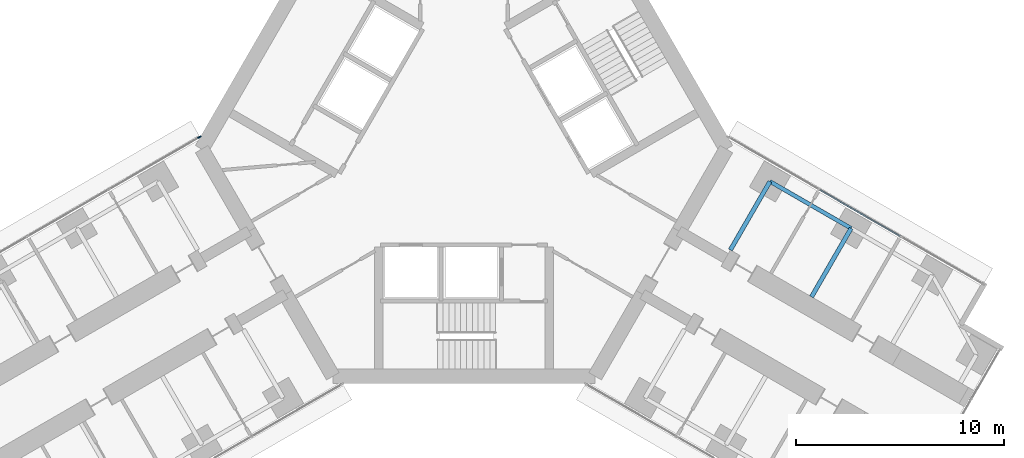
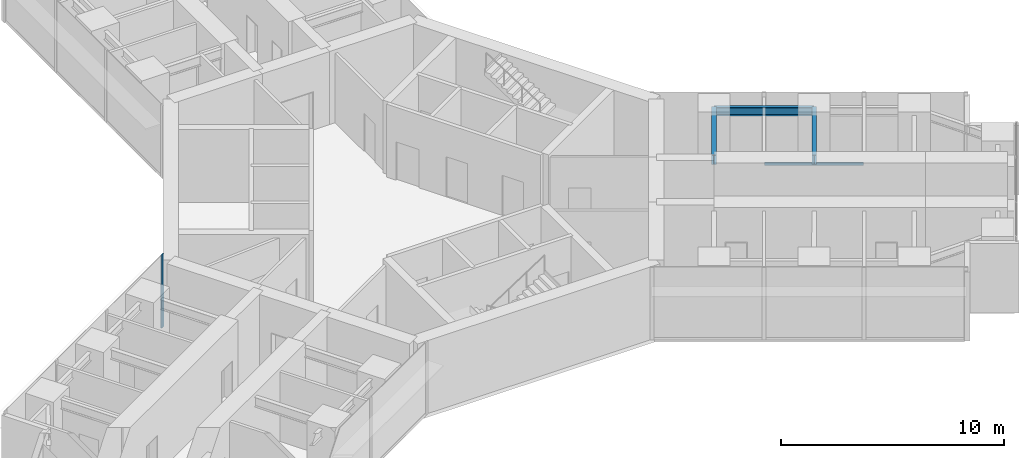
# One storey, part 10 of 24: 3 beams, 2 members, 2 elements without a shape of their own.
"""IFC4 building model written with IfcOpenShell, lengths in metres."""

from ifc_helpers import new_model, si_unit, direction, frame, origin, origin_2d, place, context, subcontext, project, spatial, rectangle, i_section, extrude, material, material_profile, profile_set, type_object, element, aggregate, save


model = new_model("IFC4")

# Units and contexts
model_context = context("Model", 3, precision=1e-05, world=origin(), true_north=direction((0.0, 1.0)))
body_context = subcontext(model_context, "Body", "Model", "MODEL_VIEW")
ifc_project = project(units=[si_unit("LENGTHUNIT", "METRE"), si_unit("AREAUNIT", "SQUARE_METRE"), si_unit("VOLUMEUNIT", "CUBIC_METRE"), si_unit("PLANEANGLEUNIT", "RADIAN"), si_unit("MASSUNIT", "GRAM", prefix="KILO")], contexts=[model_context])

# Site, building, storey
site_placement = place(None, origin())
site = spatial("IfcSite", under=ifc_project, at=site_placement, CompositionType="ELEMENT")
building_placement = place(site_placement, origin())
building = spatial("IfcBuilding", under=site, at=building_placement, Name="Upepo Twin Towers", CompositionType="ELEMENT")
storey_placement = place(building_placement, frame((0.0, 0.0, 60.5)))
storey = spatial("IfcBuildingStorey", under=building, at=storey_placement, Name="L14", CompositionType="ELEMENT", Elevation=60.5)

# Beams
ifc_material_1 = material(Name="Steel S355", Category="steel")
ifc_material_profile_1 = material_profile(ifc_material_1, i_section(OverallWidth=0.1904296875, OverallDepth=0.45703125, WebThickness=0.009033203125, FlangeThickness=0.014404296875, FilletRadius=0.01025390625, at=origin_2d()), Name="UB 457x191x74")
ifc_profile_set_1 = profile_set([ifc_material_profile_1], Name="Steel S355")
beam_type_1 = type_object("IfcBeamType", Name="Beam UB 457x191x74", PredefinedType="BEAM", material=ifc_profile_set_1)
beam_1_placement = place(storey_placement, frame((73.19140625, -19.553955078125, 3.571533203125), z_axis=(0.866017533419, -0.500013631625, 0.0), x_axis=(0.500013631625, 0.866017533419, 0.0)))
element("IfcBeam", 1, at=beam_1_placement, inside=storey, type_object=beam_type_1, Name="T2 edge beam CL 13.5-18.0", PredefinedType="BEAM", context=body_context, shape_type="SweptSolid", body=[
    extrude(i_section(OverallWidth=0.1904296875, OverallDepth=0.45703125, WebThickness=0.009033203125, FlangeThickness=0.014404296875, FilletRadius=0.01025390625, at=origin_2d()), origin(), (0.0, 0.0, 1.0), 4.499755859375),
])
ifc_material_2 = material(Name="Steel S355", Category="steel")
ifc_material_profile_2 = material_profile(ifc_material_2, i_section(OverallWidth=0.209228515625, OverallDepth=0.533203125, WebThickness=0.010009765625, FlangeThickness=0.015625, FilletRadius=0.0126953125, at=origin_2d()), Name="UB 533x210x92")
ifc_profile_set_2 = profile_set([ifc_material_profile_2], Name="Steel S355")
beam_type_2 = type_object("IfcBeamType", Name="Beam UB 533x210x92", PredefinedType="BEAM", material=ifc_profile_set_2)
beam_2_placement = place(storey_placement, frame((73.19140625, -19.553955078125, 3.533447265625), z_axis=(-0.500043160704, -0.866000483506, 0.0), x_axis=(0.866000483506, -0.500043160704, 0.0)))
element("IfcBeam", 2, at=beam_2_placement, inside=storey, type_object=beam_type_2, Name="T2 girder CL at 13.5", PredefinedType="BEAM", context=body_context, shape_type="SweptSolid", body=[
    extrude(i_section(OverallWidth=0.209228515625, OverallDepth=0.533203125, WebThickness=0.010009765625, FlangeThickness=0.015625, FilletRadius=0.0126953125, at=origin_2d()), origin(), (0.0, 0.0, 1.0), 3.800048828125),
])
beam_3_placement = place(storey_placement, frame((77.08837890625, -21.803955078125, 3.533447265625), z_axis=(-0.499994975061, -0.866028304915, 0.0), x_axis=(0.866028304915, -0.499994975061, 0.0)))
element("IfcBeam", 3, at=beam_3_placement, inside=storey, type_object=beam_type_2, Name="T2 girder CL at 18.0", PredefinedType="BEAM", context=body_context, shape_type="SweptSolid", body=[
    extrude(i_section(OverallWidth=0.209228515625, OverallDepth=0.533203125, WebThickness=0.010009765625, FlangeThickness=0.015625, FilletRadius=0.0126953125, at=origin_2d()), origin(), (0.0, 0.0, 1.0), 3.7998046875),
])

# Curtain wall, member
ifc_material_3 = material(Name="Aluminium and fritted glass", Category="aluminium")
curtain_wall_type = type_object("IfcCurtainWallType", Name="Tower curtain wall TW1, fritted glass", PredefinedType="NOTDEFINED", material=ifc_material_3)
curtain_wall_1_placement = place(storey_placement, origin())
curtain_wall_1 = element("IfcCurtainWall", 4, at=curtain_wall_1_placement, inside=storey, type_object=curtain_wall_type, Name="T2 L14 wing B flank R curtain wall", PredefinedType="NOTDEFINED")
ifc_material_4 = material(Name="Aluminium mullion", Category="aluminium")
ifc_material_profile_3 = material_profile(ifc_material_4, rectangle(XDim=0.06494140625, YDim=0.179931640625, at=origin_2d()), Name="MULLION 65x180")
ifc_profile_set_3 = profile_set([ifc_material_profile_3], Name="Aluminium mullion")
member_type_1 = type_object("IfcMemberType", Name="Mullion 65x180 TW1", PredefinedType="MULLION", material=ifc_profile_set_3)
member_1_placement = place(storey_placement, frame((45.79150390625, -17.427490234375, 0.0), z_axis=(0.0, 0.0, 1.0), x_axis=(-0.500000024426, 0.866025389682, 0.0)))
member_1 = element("IfcMember", 5, at=member_1_placement, type_object=member_type_1, Name="T2 L14 wing B flank R curtain wall mullion 4", PredefinedType="MULLION", context=body_context, shape_type="SweptSolid", body=[
    extrude(rectangle(XDim=0.06494140625, YDim=0.179931640625, at=origin_2d()), origin(), (0.0, 0.0, 1.0), 4.0),
])
aggregate(curtain_wall_1, [member_1])

curtain_wall_2_placement = place(storey_placement, origin())
curtain_wall_2 = element("IfcCurtainWall", 6, at=curtain_wall_2_placement, inside=storey, type_object=curtain_wall_type, Name="T2 L14 wing C flank L curtain wall", PredefinedType="NOTDEFINED")
ifc_material_5 = material(Name="Aluminium transom", Category="aluminium")
ifc_material_profile_4 = material_profile(ifc_material_5, rectangle(XDim=0.06494140625, YDim=0.14990234375, at=origin_2d()), Name="TRANSOM 65x150")
ifc_profile_set_4 = profile_set([ifc_material_profile_4], Name="Aluminium transom")
member_type_2 = type_object("IfcMemberType", Name="Transom 65x150 TW1", PredefinedType="USERDEFINED", material=ifc_profile_set_4)
member_2_placement = place(storey_placement, frame((75.593017578125, -19.958984375, 0.074951171875), z_axis=(0.866022410713, -0.500005184116, 0.0), x_axis=(0.500005184116, 0.866022410713, 0.0)))
member_2 = element("IfcMember", 7, at=member_2_placement, type_object=member_type_2, Name="T2 L14 wing C flank L curtain wall transom 2", ObjectType="TRANSOM", PredefinedType="USERDEFINED", context=body_context, shape_type="SweptSolid", body=[
    extrude(rectangle(XDim=0.06494140625, YDim=0.14990234375, at=origin_2d()), origin(), (0.0, 0.0, 1.0), 4.43505859375),
])
aggregate(curtain_wall_2, [member_2])

save(model, "model.ifc")
